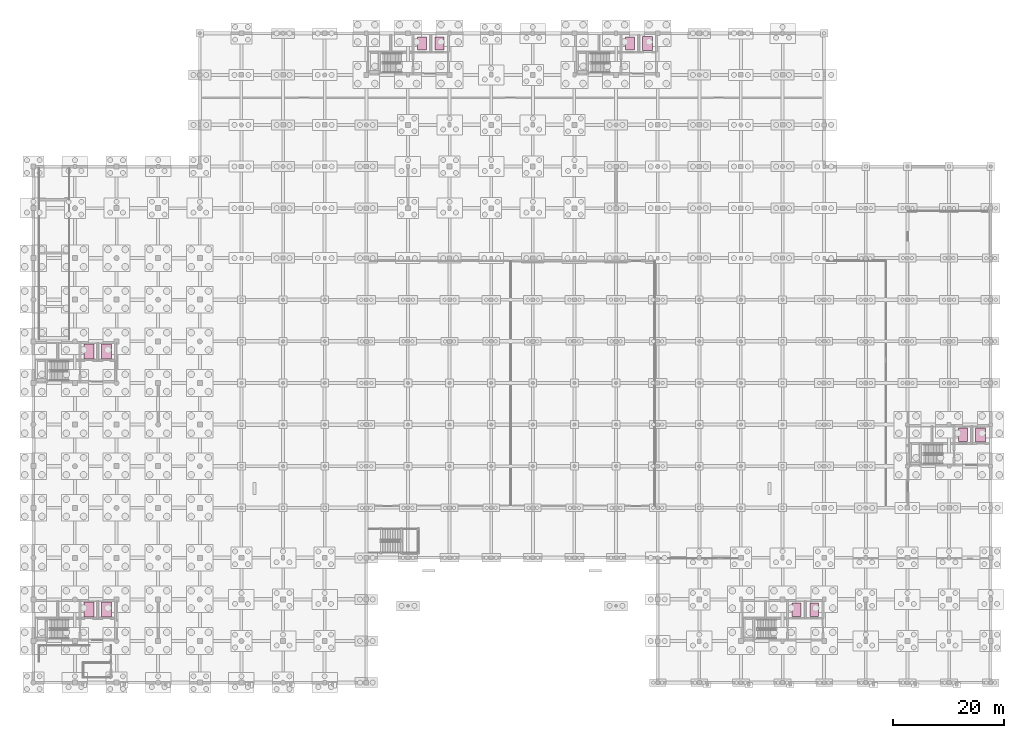
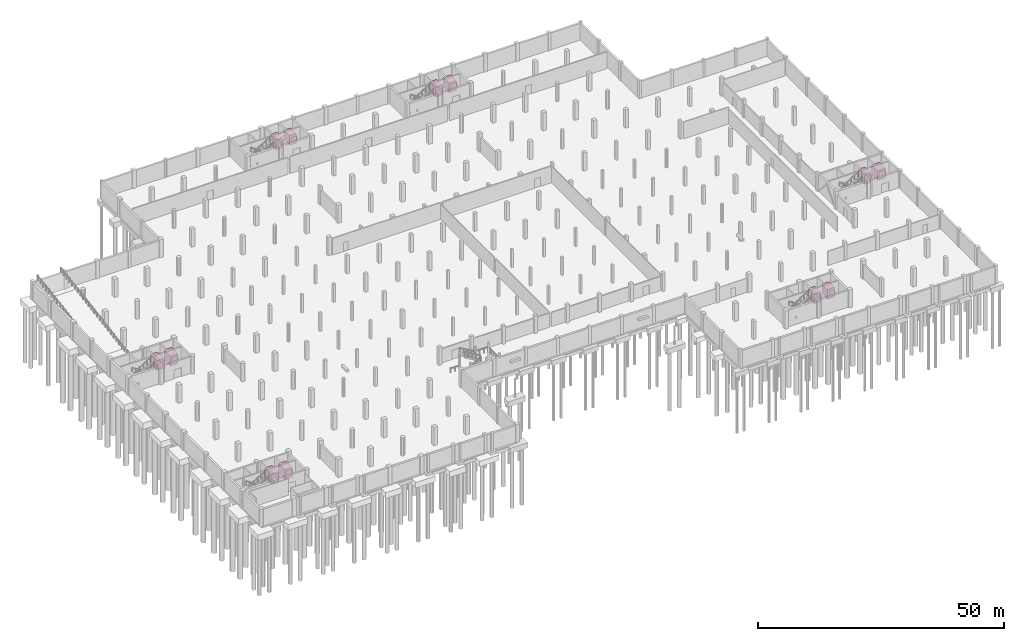
# One storey, part 42 of 42: 12 transport elements.
"""IFC4 building model written with IfcOpenShell, lengths in metres."""

from ifc_helpers import new_model, si_unit, direction, frame, origin, origin_2d, place, context, subcontext, project, spatial, rectangle, extrude, material, type_object, element, save


model = new_model("IFC4")

# Units and contexts
model_context = context("Model", 3, precision=1e-05, world=origin(), true_north=direction((0.0, 1.0)))
body_context = subcontext(model_context, "Body", "Model", "MODEL_VIEW")
ifc_project = project(units=[si_unit("LENGTHUNIT", "METRE"), si_unit("AREAUNIT", "SQUARE_METRE"), si_unit("VOLUMEUNIT", "CUBIC_METRE"), si_unit("PLANEANGLEUNIT", "RADIAN"), si_unit("MASSUNIT", "GRAM", prefix="KILO")], contexts=[model_context])

# Site, building, storey
site_placement = place(None, origin())
site = spatial("IfcSite", under=ifc_project, at=site_placement, CompositionType="ELEMENT")
building_placement = place(site_placement, origin())
building = spatial("IfcBuilding", under=site, at=building_placement, Name="Dalvernix Boulevard General Hospital", CompositionType="ELEMENT")
storey_placement = place(building_placement, frame((0.0, 0.0, -4.5)))
storey = spatial("IfcBuildingStorey", under=building, at=storey_placement, Name="B1", CompositionType="ELEMENT", Elevation=-4.5)

# Transport elements
ifc_material_1 = material(Name="Brushed stainless steel hospital bed elevator cab", Category="steel")
transport_element_type_1 = type_object("IfcTransportElementType", Name="LFT-BED", PredefinedType="ELEVATOR", material=ifc_material_1)
for number, where, z_axis, x_axis, name in (
    (1, (70.0, 115.14990234375, 0.0), (0.0, 0.0, 1.0), (1.0, 0.0, 0.0), "Hospital Elevator LF-01"),
    (2, (73.199951171875, 115.14990234375, 0.0), (0.0, 0.0, 1.0), (1.0, 0.0, 0.0), "Hospital Elevator LF-02"),
    (3, (107.5, 115.14990234375, 0.0), (0.0, 0.0, 1.0), (1.0, 0.0, 0.0), "Hospital Elevator LF-03"),
    (4, (137.5, 13.14990234375, 0.0), (0.0, 0.0, 1.0), (1.0, 0.0, 0.0), "Hospital Elevator LF-04"),
    (5, (140.699951171875, 13.14990234375, 0.0), (0.0, 0.0, 1.0), (1.0, 0.0, 0.0), "Hospital Elevator LF-05"),
    (6, (167.5, 44.64990234375, 0.0), (0.0, 0.0, 1.0), (1.0, 0.0, 0.0), "Hospital Elevator LF-06"),
):
    element("IfcTransportElement", number, at=place(storey_placement, frame(where, z_axis=z_axis, x_axis=x_axis)), inside=storey, type_object=transport_element_type_1, Name=name, PredefinedType="ELEVATOR", context=body_context, shape_type="SweptSolid", body=[
        extrude(rectangle(XDim=1.60009765625, YDim=2.39990234375, at=origin_2d()), origin(), (0.0, 0.0, 1.0), 2.39990234375),
    ])
ifc_material_2 = material(Name="Brushed stainless steel hospital stretcher elevator cab", Category="steel")
transport_element_type_2 = type_object("IfcTransportElementType", Name="LFT-FFL", PredefinedType="ELEVATOR", material=ifc_material_2)
for number, where, z_axis, x_axis, name in (
    (7, (10.0, 13.14990234375, 0.0), (0.0, 0.0, 1.0), (1.0, 0.0, 0.0), "Hospital Elevator FFL-01"),
    (8, (13.199951171875, 13.14990234375, 0.0), (0.0, 0.0, 1.0), (1.0, 0.0, 0.0), "Hospital Elevator FFL-02"),
    (9, (10.0, 59.64990234375, 0.0), (0.0, 0.0, 1.0), (1.0, 0.0, 0.0), "Hospital Elevator FFL-03"),
    (10, (13.199951171875, 59.64990234375, 0.0), (0.0, 0.0, 1.0), (1.0, 0.0, 0.0), "Hospital Elevator FFL-04"),
):
    element("IfcTransportElement", number, at=place(storey_placement, frame(where, z_axis=z_axis, x_axis=x_axis)), inside=storey, type_object=transport_element_type_2, Name=name, PredefinedType="ELEVATOR", context=body_context, shape_type="SweptSolid", body=[
        extrude(rectangle(XDim=1.800048828125, YDim=2.699951171875, at=origin_2d()), origin(), (0.0, 0.0, 1.0), 2.39990234375),
    ])
ifc_material_3 = material(Name="Stainless steel clean/soiled surgical goods elevator cab", Category="steel")
transport_element_type_3 = type_object("IfcTransportElementType", Name="LFT-GDS", PredefinedType="ELEVATOR", material=ifc_material_3)
for number, where, z_axis, x_axis, name in (
    (11, (110.699951171875, 115.14990234375, 0.0), (0.0, 0.0, 1.0), (1.0, 0.0, 0.0), "Hospital Elevator GL-01"),
    (12, (170.699951171875, 44.64990234375, 0.0), (0.0, 0.0, 1.0), (1.0, 0.0, 0.0), "Hospital Elevator GL-02"),
):
    element("IfcTransportElement", number, at=place(storey_placement, frame(where, z_axis=z_axis, x_axis=x_axis)), inside=storey, type_object=transport_element_type_3, Name=name, PredefinedType="ELEVATOR", context=body_context, shape_type="SweptSolid", body=[
        extrude(rectangle(XDim=1.800048828125, YDim=2.5, at=origin_2d()), origin(), (0.0, 0.0, 1.0), 2.39990234375),
    ])

save(model, "model.ifc")
